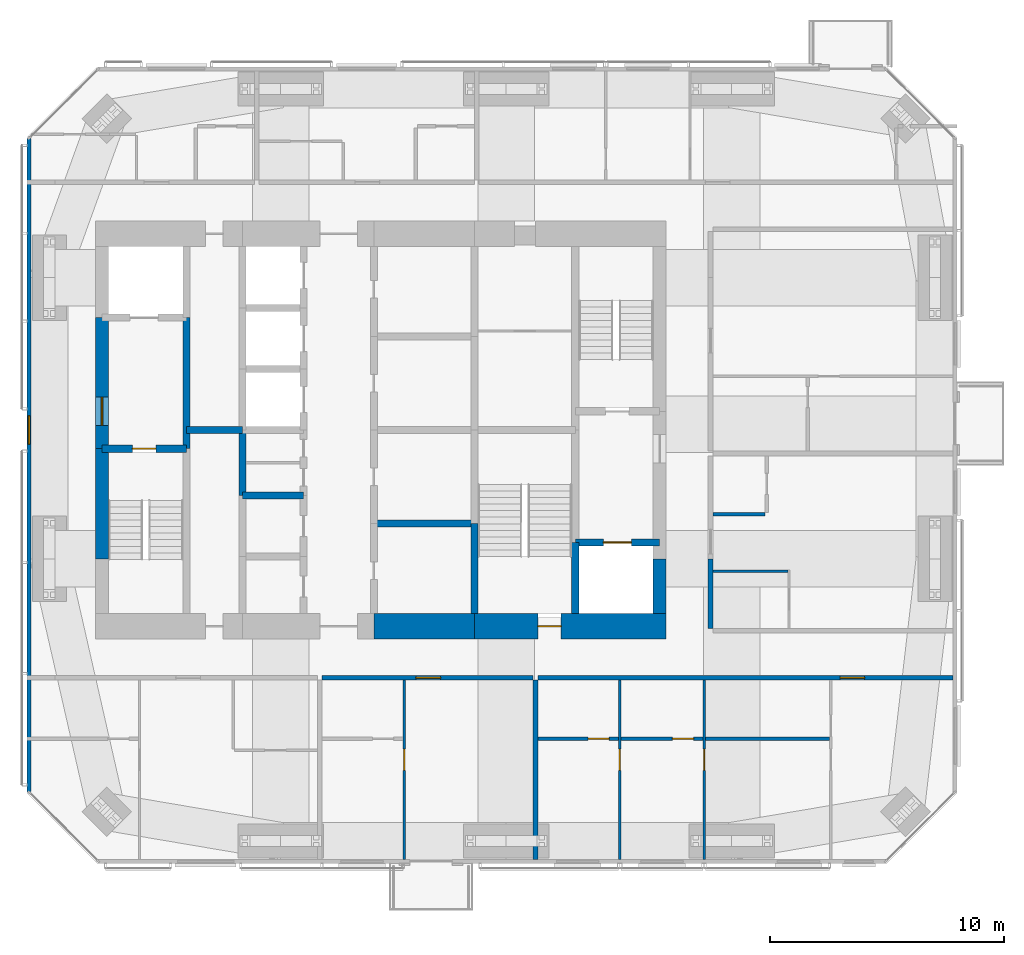
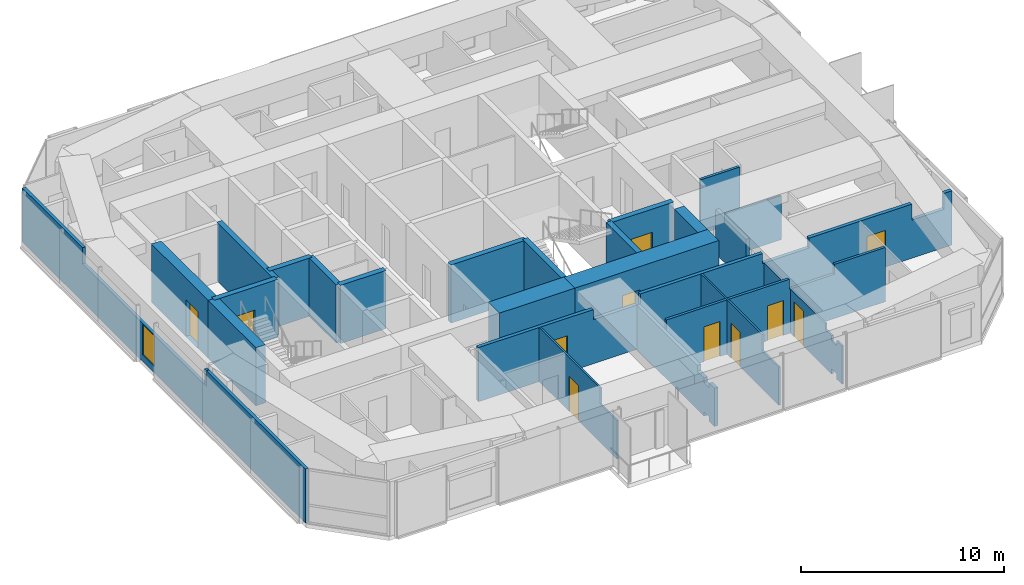
# One storey, part 13 of 18: 27 walls, 11 doors, 1 window, 12 openings.
"""IFC4 building model written with IfcOpenShell, lengths in metres."""

from ifc_helpers import new_model, si_unit, direction, frame, frame_2d, origin, place, context, subcontext, project, spatial, polyline, rectangle, outline, extrude, material, layer, layer_set, constituent, constituent_set, type_object, element, fill, save


model = new_model("IFC4")

# Units and contexts
model_context = context("Model", 3, precision=1e-05, world=origin(), true_north=direction((0.0, 1.0)))
body_context = subcontext(model_context, "Body", "Model", "MODEL_VIEW")
ifc_project = project(units=[si_unit("LENGTHUNIT", "METRE"), si_unit("AREAUNIT", "SQUARE_METRE"), si_unit("VOLUMEUNIT", "CUBIC_METRE"), si_unit("PLANEANGLEUNIT", "RADIAN"), si_unit("MASSUNIT", "GRAM", prefix="KILO")], contexts=[model_context])

# Site, building, storey
site_placement = place(None, origin())
site = spatial("IfcSite", under=ifc_project, at=site_placement, CompositionType="ELEMENT")
building_placement = place(site_placement, origin())
building = spatial("IfcBuilding", under=site, at=building_placement, Name="Jalousie Tower", CompositionType="ELEMENT")
storey_placement = place(building_placement, frame((0.0, 0.0, 228.449951171875)))
storey = spatial("IfcBuildingStorey", under=building, at=storey_placement, Name="L62", CompositionType="ELEMENT", Elevation=228.449951171875)

# Wall, opening, door
ifc_material_1 = material(Name="Concrete block ASTM C90", Category="concrete")
ifc_constituent_1 = constituent(ifc_material_1, Name="Body")
ifc_material_2 = material(Name="Render")
ifc_constituent_2 = constituent(ifc_material_2, Name="Finish")
ifc_constituent_set_1 = constituent_set(constituents=[ifc_constituent_1, ifc_constituent_2])
wall_type_1 = type_object("IfcWallType", Name="BATHROOM WALL 150", PredefinedType="PLUMBINGWALL", material=ifc_constituent_set_1)
wall_1_placement = place(storey_placement, frame((38.60009765625, 5.324951171875, 0.0), z_axis=(0.0, 0.0, 1.0), x_axis=(1.0, 0.0, 0.0)))
wall_1 = element("IfcWall", 1, at=wall_1_placement, inside=storey, type_object=wall_type_1, Name="Bathroom Wall 150 L62", PredefinedType="PLUMBINGWALL", context=body_context, shape_type="SweptSolid", body=[
    extrude(rectangle(XDim=3.449951171875, YDim=0.14990234375, at=frame_2d((1.72509765625, 0.0))), origin(), (0.0, 0.0, 1.0), 3.260009765625),
])
opening_1_placement = place(wall_1_placement, frame((2.14990234375, 0.0, 0.0)))
opening_1 = element("IfcOpeningElement", 2, at=opening_1_placement, cuts=wall_1, Name="Opening D3", PredefinedType="OPENING", context=body_context, shape_type="SweptSolid", body=[
    extrude(rectangle(XDim=0.89990234375, YDim=2.10009765625, at=frame_2d((0.449951171875, 1.050048828125))), frame((0.0, 0.0849609375, 0.0), z_axis=(0.0, -1.0, 0.0), x_axis=(1.0, 0.0, 0.0)), (0.0, 0.0, 1.0), 0.169921875),
])
ifc_material_3 = material(Name="Timber door", Category="wood")
door_type_1 = type_object("IfcDoorType", Name="BATHROOM DOOR 900", OperationType="SINGLE_SWING_LEFT", PredefinedType="DOOR", material=ifc_material_3)
door_1_placement = place(opening_1_placement, origin())
door_1 = element("IfcDoor", 3, at=door_1_placement, inside=storey, type_object=door_type_1, Name="Apartment 6203 bedroom 1 bathroom door", OperationType="SINGLE_SWING_RIGHT", OverallHeight=2.10009765625, OverallWidth=0.89990234375, PredefinedType="DOOR", context=body_context, shape_type="SweptSolid", body=[
    extrude(rectangle(XDim=0.89990234375, YDim=2.10009765625, at=frame_2d((0.449951171875, 1.050048828125))), frame((0.0, 0.02490234375, 0.0), z_axis=(0.0, -1.0, 0.0), x_axis=(1.0, 0.0, 0.0)), (0.0, 0.0, 1.0), 0.050048828125),
])
fill(opening_1, door_1)

wall_2_placement = place(storey_placement, frame((42.14990234375, 5.324951171875, 0.0), z_axis=(0.0, 0.0, 1.0), x_axis=(1.0, 0.0, 0.0)))
wall_2 = element("IfcWall", 4, at=wall_2_placement, inside=storey, type_object=wall_type_1, Name="Bathroom Wall 150 L62", PredefinedType="PLUMBINGWALL", context=body_context, shape_type="SweptSolid", body=[
    extrude(outline(polyline([(0.0, 0.0), (3.5, 0.0), (3.5, 3.260009765625), (3.5, 2.66015625), (3.43994140625, 2.66015625), (3.43994140625, 3.260009765625), (0.0, 3.260009765625), (0.0, 0.0)])), frame((0.0, 0.074951171875, 0.0), z_axis=(0.0, -1.0, 0.0), x_axis=(1.0, 0.0, 0.0)), (0.0, 0.0, 1.0), 0.14990234375),
])
opening_2_placement = place(wall_2_placement, frame((2.199951171875, 0.0, 0.0)))
opening_2 = element("IfcOpeningElement", 5, at=opening_2_placement, cuts=wall_2, Name="Opening D3", PredefinedType="OPENING", context=body_context, shape_type="SweptSolid", body=[
    extrude(rectangle(XDim=0.89990234375, YDim=2.10009765625, at=frame_2d((0.449951171875, 1.050048828125))), frame((0.0, 0.0849609375, 0.0), z_axis=(0.0, -1.0, 0.0), x_axis=(1.0, 0.0, 0.0)), (0.0, 0.0, 1.0), 0.169921875),
])
door_2_placement = place(opening_2_placement, origin())
door_2 = element("IfcDoor", 6, at=door_2_placement, inside=storey, type_object=door_type_1, Name="Apartment 6203 bedroom 2 bathroom door", OperationType="SINGLE_SWING_RIGHT", OverallHeight=2.10009765625, OverallWidth=0.89990234375, PredefinedType="DOOR", context=body_context, shape_type="SweptSolid", body=[
    extrude(rectangle(XDim=0.89990234375, YDim=2.10009765625, at=frame_2d((0.449951171875, 1.050048828125))), frame((0.0, 0.02490234375, 0.0), z_axis=(0.0, -1.0, 0.0), x_axis=(1.0, 0.0, 0.0)), (0.0, 0.0, 1.0), 0.050048828125),
])
fill(opening_2, door_2)

# Walls
wall_3_placement = place(storey_placement, frame((45.75, 5.324951171875, 0.0), z_axis=(0.0, 0.0, 1.0), x_axis=(1.0, 0.0, 0.0)))
element("IfcWall", 7, at=wall_3_placement, inside=storey, type_object=wall_type_1, Name="Bathroom Wall 150 L62", PredefinedType="PLUMBINGWALL", context=body_context, shape_type="SweptSolid", body=[
    extrude(outline(polyline([(0.0, 0.0), (5.300048828125, 0.0), (5.300048828125, 3.260009765625), (2.409912109375, 3.260009765625), (2.409912109375, 2.66015625), (0.0, 2.66015625), (0.0, 3.260009765625), (0.0, 0.0)])), frame((0.0, 0.074951171875, 0.0), z_axis=(0.0, -1.0, 0.0), x_axis=(1.0, 0.0, 0.0)), (0.0, 0.0, 1.0), 0.14990234375),
])
wall_4_placement = place(storey_placement, frame((48.300048828125, 14.89990234375, 0.0), z_axis=(0.0, 0.0, 1.0), x_axis=(-1.0, 0.0, 0.0)))
element("IfcWall", 8, at=wall_4_placement, inside=storey, type_object=wall_type_1, Name="Bathroom Wall 150 L62", PredefinedType="PLUMBINGWALL", context=body_context, shape_type="SweptSolid", body=[
    extrude(rectangle(XDim=2.22509765625, YDim=0.14990234375, at=frame_2d((1.112548828125, 0.0))), origin(), (0.0, 0.0, 1.0), 3.260009765625),
])
ifc_material_4 = material(Name="Concrete f'c 120 MPa", Category="concrete")
ifc_layer_1 = layer(ifc_material_4, 1.10009765625)
ifc_layer_set_1 = layer_set([ifc_layer_1], Name="Concrete f'c 120 MPa")
wall_type_2 = type_object("IfcWallType", Name="CORE WALL 1100", PredefinedType="SHEAR", material=ifc_layer_set_1)
wall_5_placement = place(storey_placement, frame((31.60009765625, 10.125, 0.0), z_axis=(0.0, 0.0, 1.0), x_axis=(1.0, 0.0, 0.0)))
element("IfcWall", 9, at=wall_5_placement, inside=storey, type_object=wall_type_2, Name="Core wall SC L62", PredefinedType="SHEAR", context=body_context, shape_type="SweptSolid", body=[
    extrude(rectangle(XDim=4.2998046875, YDim=1.10009765625, at=frame_2d((2.14990234375, 0.0))), origin(), (0.0, 0.0, 1.0), 3.5),
])

# Wall, opening, door
wall_6_placement = place(storey_placement, frame((35.89990234375, 10.125, 0.0), z_axis=(0.0, 0.0, 1.0), x_axis=(1.0, 0.0, 0.0)))
wall_6 = element("IfcWall", 10, at=wall_6_placement, inside=storey, type_object=wall_type_2, Name="Core wall SD L62", PredefinedType="SHEAR", context=body_context, shape_type="SweptSolid", body=[
    extrude(rectangle(XDim=8.175048828125, YDim=1.10009765625, at=frame_2d((4.08740234375, 0.0))), origin(), (0.0, 0.0, 1.0), 3.5),
])
opening_3_placement = place(wall_6_placement, frame((2.699951171875, 0.0, 0.0)))
opening_3 = element("IfcOpeningElement", 11, at=opening_3_placement, cuts=wall_6, Name="Opening D10", PredefinedType="OPENING", context=body_context, shape_type="SweptSolid", body=[
    extrude(rectangle(XDim=1.0, YDim=2.10009765625, at=frame_2d((0.5, 1.050048828125))), frame((0.0, 0.56005859375, 0.0), z_axis=(0.0, -1.0, 0.0), x_axis=(1.0, 0.0, 0.0)), (0.0, 0.0, 1.0), 1.1201171875),
])
ifc_material_5 = material(Name="Steel fire door", Category="steel")
door_type_2 = type_object("IfcDoorType", Name="STAIR DOOR 1000", OperationType="SINGLE_SWING_LEFT", PredefinedType="DOOR", material=ifc_material_5)
door_3_placement = place(opening_3_placement, origin())
door_3 = element("IfcDoor", 12, at=door_3_placement, inside=storey, type_object=door_type_2, Name="Exit stair C door", OperationType="SINGLE_SWING_RIGHT", OverallHeight=2.10009765625, OverallWidth=1.0, PredefinedType="DOOR", context=body_context, shape_type="SweptSolid", body=[
    extrude(rectangle(XDim=1.0, YDim=2.10009765625, at=frame_2d((0.5, 1.050048828125))), frame((0.0, 0.02490234375, 0.0), z_axis=(0.0, -1.0, 0.0), x_axis=(1.0, 0.0, 0.0)), (0.0, 0.0, 1.0), 0.050048828125),
])
fill(opening_3, door_3)

# Walls
ifc_material_6 = material(Name="Concrete f'c 120 MPa", Category="concrete")
ifc_layer_2 = layer(ifc_material_6, 0.300048828125)
ifc_layer_set_2 = layer_set([ifc_layer_2], Name="Concrete f'c 120 MPa")
wall_type_3 = type_object("IfcWallType", Name="CORE WALL 300", PredefinedType="SHEAR", material=ifc_layer_set_2)
wall_7_placement = place(storey_placement, frame((23.60009765625, 17.699951171875, 0.0), z_axis=(0.0, 0.0, 1.0), x_axis=(0.0, 1.0, 0.0)))
element("IfcWall", 13, at=wall_7_placement, inside=storey, type_object=wall_type_3, Name="Core wall X23.6B L62", PredefinedType="SHEAR", context=body_context, shape_type="SweptSolid", body=[
    extrude(rectangle(XDim=5.60009765625, YDim=0.300048828125, at=frame_2d((2.800048828125, 0.0))), origin(), (0.0, 0.0, 1.0), 3.5),
])
wall_8_placement = place(storey_placement, frame((26.0, 15.699951171875, 0.0), z_axis=(0.0, 0.0, 1.0), x_axis=(0.0, 1.0, 0.0)))
element("IfcWall", 14, at=wall_8_placement, inside=storey, type_object=wall_type_3, Name="Core wall X26C L62", PredefinedType="SHEAR", context=body_context, shape_type="SweptSolid", body=[
    extrude(rectangle(XDim=2.800048828125, YDim=0.300048828125, at=frame_2d((1.39990234375, 0.0))), origin(), (0.0, 0.0, 1.0), 3.5),
])
wall_9_placement = place(storey_placement, frame((35.89990234375, 10.675048828125, 0.0), z_axis=(0.0, 0.0, 1.0), x_axis=(0.0, 1.0, 0.0)))
element("IfcWall", 15, at=wall_9_placement, inside=storey, type_object=wall_type_3, Name="Core wall X35.9A L62", PredefinedType="SHEAR", context=body_context, shape_type="SweptSolid", body=[
    extrude(rectangle(XDim=3.824951171875, YDim=0.300048828125, at=frame_2d((1.91259765625, 0.0))), origin(), (0.0, 0.0, 1.0), 3.5),
])
wall_10_placement = place(storey_placement, frame((40.199951171875, 10.675048828125, 0.0), z_axis=(0.0, 0.0, 1.0), x_axis=(0.0, 1.0, 0.0)))
element("IfcWall", 16, at=wall_10_placement, inside=storey, type_object=wall_type_3, Name="Core wall X40.2A L62", PredefinedType="SHEAR", context=body_context, shape_type="SweptSolid", body=[
    extrude(rectangle(XDim=3.02490234375, YDim=0.300048828125, at=frame_2d((1.512451171875, 0.0))), origin(), (0.0, 0.0, 1.0), 3.5),
])

# Wall, opening, door
wall_11_placement = place(storey_placement, frame((20.0, 17.699951171875, 0.0), z_axis=(0.0, 0.0, 1.0), x_axis=(1.0, 0.0, 0.0)))
wall_11 = element("IfcWall", 17, at=wall_11_placement, inside=storey, type_object=wall_type_3, Name="Core wall Y20-17.7 L62", PredefinedType="SHEAR", context=body_context, shape_type="SweptSolid", body=[
    extrude(rectangle(XDim=3.60009765625, YDim=0.300048828125, at=frame_2d((1.800048828125, 0.0))), origin(), (0.0, 0.0, 1.0), 3.5),
])
opening_4_placement = place(wall_11_placement, frame((1.300048828125, 0.0, 0.0)))
opening_4 = element("IfcOpeningElement", 18, at=opening_4_placement, cuts=wall_11, Name="Opening D10", PredefinedType="OPENING", context=body_context, shape_type="SweptSolid", body=[
    extrude(rectangle(XDim=1.0, YDim=2.10009765625, at=frame_2d((0.5, 1.050048828125))), frame((0.0, 0.159912109375, 0.0), z_axis=(0.0, -1.0, 0.0), x_axis=(1.0, 0.0, 0.0)), (0.0, 0.0, 1.0), 0.320068359375),
])
door_4_placement = place(opening_4_placement, frame((1.0, 0.0, 0.0), z_axis=(0.0, 0.0, 1.0), x_axis=(-1.0, 0.0, 0.0)))
door_4 = element("IfcDoor", 19, at=door_4_placement, inside=storey, type_object=door_type_2, Name="Exit stair A door", OperationType="SINGLE_SWING_RIGHT", OverallHeight=2.10009765625, OverallWidth=1.0, PredefinedType="DOOR", context=body_context, shape_type="SweptSolid", body=[
    extrude(rectangle(XDim=1.0, YDim=2.10009765625, at=frame_2d((0.5, 1.050048828125))), frame((0.0, 0.02490234375, 0.0), z_axis=(0.0, -1.0, 0.0), x_axis=(1.0, 0.0, 0.0)), (0.0, 0.0, 1.0), 0.050048828125),
])
fill(opening_4, door_4)

# Walls
wall_12_placement = place(storey_placement, frame((23.60009765625, 18.5, 0.0), z_axis=(0.0, 0.0, 1.0), x_axis=(1.0, 0.0, 0.0)))
element("IfcWall", 20, at=wall_12_placement, inside=storey, type_object=wall_type_3, Name="Core wall Y23.6-18.5 L62", PredefinedType="SHEAR", context=body_context, shape_type="SweptSolid", body=[
    extrude(rectangle(XDim=2.39990234375, YDim=0.300048828125, at=frame_2d((1.199951171875, 0.0))), origin(), (0.0, 0.0, 1.0), 3.5),
])
wall_13_placement = place(storey_placement, frame((26.0, 15.699951171875, 0.0), z_axis=(0.0, 0.0, 1.0), x_axis=(1.0, 0.0, 0.0)))
element("IfcWall", 21, at=wall_13_placement, inside=storey, type_object=wall_type_3, Name="Core wall Y26-15.7 L62", PredefinedType="SHEAR", context=body_context, shape_type="SweptSolid", body=[
    extrude(rectangle(XDim=2.60009765625, YDim=0.300048828125, at=frame_2d((1.300048828125, 0.0))), origin(), (0.0, 0.0, 1.0), 3.5),
])
wall_14_placement = place(storey_placement, frame((31.60009765625, 14.5, 0.0), z_axis=(0.0, 0.0, 1.0), x_axis=(1.0, 0.0, 0.0)))
element("IfcWall", 22, at=wall_14_placement, inside=storey, type_object=wall_type_3, Name="Core wall Y31.6-14.5 L62", PredefinedType="SHEAR", context=body_context, shape_type="SweptSolid", body=[
    extrude(rectangle(XDim=4.2998046875, YDim=0.300048828125, at=frame_2d((2.14990234375, 0.0))), origin(), (0.0, 0.0, 1.0), 3.5),
])

# Wall, opening, door
wall_15_placement = place(storey_placement, frame((40.199951171875, 13.699951171875, 0.0), z_axis=(0.0, 0.0, 1.0), x_axis=(1.0, 0.0, 0.0)))
wall_15 = element("IfcWall", 23, at=wall_15_placement, inside=storey, type_object=wall_type_3, Name="Core wall Y40.2-13.7 L62", PredefinedType="SHEAR", context=body_context, shape_type="SweptSolid", body=[
    extrude(rectangle(XDim=3.60009765625, YDim=0.300048828125, at=frame_2d((1.800048828125, 0.0))), origin(), (0.0, 0.0, 1.0), 3.5),
])
opening_5_placement = place(wall_15_placement, frame((1.199951171875, 0.0, 0.0)))
opening_5 = element("IfcOpeningElement", 24, at=opening_5_placement, cuts=wall_15, Name="Opening LD2", PredefinedType="OPENING", context=body_context, shape_type="SweptSolid", body=[
    extrude(rectangle(XDim=1.199951171875, YDim=2.10009765625, at=frame_2d((0.60009765625, 1.050048828125))), frame((0.0, 0.159912109375, 0.0), z_axis=(0.0, -1.0, 0.0), x_axis=(1.0, 0.0, 0.0)), (0.0, 0.0, 1.0), 0.320068359375),
])
ifc_material_7 = material(Name="Steel lift landing door", Category="steel")
door_type_3 = type_object("IfcDoorType", Name="LIFT LANDING DOOR 1200", OperationType="SLIDING_TO_LEFT", PredefinedType="DOOR", material=ifc_material_7)
door_5_placement = place(opening_5_placement, origin())
door_5 = element("IfcDoor", 25, at=door_5_placement, inside=storey, type_object=door_type_3, Name="Lift F2 landing door", OperationType="SLIDING_TO_LEFT", OverallHeight=2.10009765625, OverallWidth=1.199951171875, PredefinedType="DOOR", context=body_context, shape_type="SweptSolid", body=[
    extrude(rectangle(XDim=1.199951171875, YDim=2.10009765625, at=frame_2d((0.60009765625, 1.050048828125))), frame((0.0, 0.02490234375, 0.0), z_axis=(0.0, -1.0, 0.0), x_axis=(1.0, 0.0, 0.0)), (0.0, 0.0, 1.0), 0.050048828125),
])
fill(opening_5, door_5)

ifc_material_8 = material(Name="Concrete f'c 120 MPa", Category="concrete")
ifc_layer_3 = layer(ifc_material_8, 0.550048828125)
ifc_layer_set_3 = layer_set([ifc_layer_3], Name="Concrete f'c 120 MPa")
wall_type_4 = type_object("IfcWallType", Name="CORE WALL 550", PredefinedType="SHEAR", material=ifc_layer_set_3)
wall_16_placement = place(storey_placement, frame((20.0, 23.300048828125, 0.0), z_axis=(0.0, 0.0, 1.0), x_axis=(0.0, -1.0, 0.0)))
wall_16 = element("IfcWall", 26, at=wall_16_placement, inside=storey, type_object=wall_type_4, Name="Core wall WB L62", PredefinedType="SHEAR", context=body_context, shape_type="SweptSolid", body=[
    extrude(rectangle(XDim=5.60009765625, YDim=0.550048828125, at=frame_2d((2.800048828125, 0.0))), origin(), (0.0, 0.0, 1.0), 3.5),
])
opening_6_placement = place(wall_16_placement, frame((3.39990234375, 0.0, 0.0)))
opening_6 = element("IfcOpeningElement", 27, at=opening_6_placement, cuts=wall_16, Name="Opening D11", PredefinedType="OPENING", context=body_context, shape_type="SweptSolid", body=[
    extrude(rectangle(XDim=1.199951171875, YDim=2.199951171875, at=frame_2d((0.60009765625, 1.10009765625))), frame((0.0, 0.284912109375, 0.0), z_axis=(0.0, -1.0, 0.0), x_axis=(1.0, 0.0, 0.0)), (0.0, 0.0, 1.0), 0.570068359375),
])
ifc_material_9 = material(Name="Steel fire door", Category="steel")
door_type_4 = type_object("IfcDoorType", Name="FIRE DOOR 1200", OperationType="SINGLE_SWING_LEFT", PredefinedType="DOOR", material=ifc_material_9)
door_6_placement = place(opening_6_placement, origin())
door_6 = element("IfcDoor", 28, at=door_6_placement, inside=storey, type_object=door_type_4, Name="Fire-fighting lobby A door", OperationType="SINGLE_SWING_RIGHT", OverallHeight=2.199951171875, OverallWidth=1.199951171875, PredefinedType="DOOR", context=body_context, shape_type="SweptSolid", body=[
    extrude(rectangle(XDim=1.199951171875, YDim=2.199951171875, at=frame_2d((0.60009765625, 1.10009765625))), frame((0.0, 0.02490234375, 0.0), z_axis=(0.0, -1.0, 0.0), x_axis=(1.0, 0.0, 0.0)), (0.0, 0.0, 1.0), 0.050048828125),
])
fill(opening_6, door_6)

# Walls
wall_17_placement = place(storey_placement, frame((20.0, 17.699951171875, 0.0), z_axis=(0.0, 0.0, 1.0), x_axis=(0.0, -1.0, 0.0)))
element("IfcWall", 29, at=wall_17_placement, inside=storey, type_object=wall_type_4, Name="Core wall WC L62", PredefinedType="SHEAR", context=body_context, shape_type="SweptSolid", body=[
    extrude(rectangle(XDim=4.699951171875, YDim=0.550048828125, at=frame_2d((2.35009765625, 0.0))), origin(), (0.0, 0.0, 1.0), 3.5),
])
wall_18_placement = place(storey_placement, frame((43.800048828125, 10.675048828125, 0.0), z_axis=(0.0, 0.0, 1.0), x_axis=(0.0, 1.0, 0.0)))
element("IfcWall", 30, at=wall_18_placement, inside=storey, type_object=wall_type_4, Name="Core wall EA L62", PredefinedType="SHEAR", context=body_context, shape_type="SweptSolid", body=[
    extrude(rectangle(XDim=2.324951171875, YDim=0.550048828125, at=frame_2d((1.16259765625, 0.0))), origin(), (0.0, 0.0, 1.0), 3.5),
])

# Wall, opening, door
ifc_material_10 = material(Name="Concrete block ASTM C90", Category="concrete")
ifc_constituent_3 = constituent(ifc_material_10, Name="Body")
ifc_material_11 = material(Name="Render")
ifc_constituent_4 = constituent(ifc_material_11, Name="Finish")
ifc_constituent_set_2 = constituent_set(constituents=[ifc_constituent_3, ifc_constituent_4])
wall_type_5 = type_object("IfcWallType", Name="CORRIDOR WALL 200", PredefinedType="PARTITIONING", material=ifc_constituent_set_2)
wall_19_placement = place(storey_placement, frame((29.39990234375, 7.925048828125, 0.0), z_axis=(0.0, 0.0, 1.0), x_axis=(1.0, 0.0, 0.0)))
wall_19 = element("IfcWall", 31, at=wall_19_placement, inside=storey, type_object=wall_type_5, Name="Corridor Wall 200 L62", PredefinedType="PARTITIONING", context=body_context, shape_type="SweptSolid", body=[
    extrude(outline(polyline([(0.0, 0.0), (9.0, 0.0), (9.0, 3.260009765625), (9.0, 2.66015625), (6.5400390625, 2.66015625), (6.5400390625, 3.260009765625), (0.0, 3.260009765625), (0.0, 0.0)])), frame((0.0, 0.10009765625, 0.0), z_axis=(0.0, -1.0, 0.0), x_axis=(1.0, 0.0, 0.0)), (0.0, 0.0, 1.0), 0.199951171875),
])
opening_7_placement = place(wall_19_placement, frame((4.0, 0.0, 0.0)))
opening_7 = element("IfcOpeningElement", 32, at=opening_7_placement, cuts=wall_19, Name="Opening D1", PredefinedType="OPENING", context=body_context, shape_type="SweptSolid", body=[
    extrude(rectangle(XDim=1.050048828125, YDim=2.199951171875, at=frame_2d((0.52490234375, 1.10009765625))), frame((0.0, 0.10986328125, 0.0), z_axis=(0.0, -1.0, 0.0), x_axis=(1.0, 0.0, 0.0)), (0.0, 0.0, 1.0), 0.219970703125),
])
ifc_material_12 = material(Name="Timber fire door", Category="wood")
door_type_5 = type_object("IfcDoorType", Name="APARTMENT ENTRANCE DOOR 1050", OperationType="SINGLE_SWING_LEFT", PredefinedType="DOOR", material=ifc_material_12)
door_7_placement = place(opening_7_placement, frame((1.050048828125, 0.0, 0.0), z_axis=(0.0, 0.0, 1.0), x_axis=(-1.0, 0.0, 0.0)))
door_7 = element("IfcDoor", 33, at=door_7_placement, inside=storey, type_object=door_type_5, Name="Apartment 6202 entrance", OperationType="SINGLE_SWING_RIGHT", OverallHeight=2.199951171875, OverallWidth=1.050048828125, PredefinedType="DOOR", context=body_context, shape_type="SweptSolid", body=[
    extrude(rectangle(XDim=1.050048828125, YDim=2.199951171875, at=frame_2d((0.52490234375, 1.10009765625))), frame((0.0, 0.02490234375, 0.0), z_axis=(0.0, -1.0, 0.0), x_axis=(1.0, 0.0, 0.0)), (0.0, 0.0, 1.0), 0.050048828125),
])
fill(opening_7, door_7)

wall_20_placement = place(storey_placement, frame((38.60009765625, 7.925048828125, 0.0), z_axis=(0.0, 0.0, 1.0), x_axis=(1.0, 0.0, 0.0)))
wall_20 = element("IfcWall", 34, at=wall_20_placement, inside=storey, type_object=wall_type_5, Name="Corridor Wall 200 L62", PredefinedType="PARTITIONING", context=body_context, shape_type="SweptSolid", body=[
    extrude(outline(polyline([(0.0, 0.0), (17.724853515625, 0.0), (17.72509765625, 3.260009765625), (17.27490234375, 3.260009765625), (17.27490234375, 2.300048828125), (15.442626953125, 2.300048828125), (15.442626953125, 3.260009765625), (9.5849609375, 3.260009765625), (9.5849609375, 2.66015625), (6.965087890625, 2.66015625), (6.965087890625, 3.260009765625), (0.0, 3.260009765625), (0.0, 0.0)])), frame((0.0, 0.10009765625, 0.0), z_axis=(0.0, -1.0, 0.0), x_axis=(1.0, 0.0, 0.0)), (0.0, 0.0, 1.0), 0.199951171875),
])
opening_8_placement = place(wall_20_placement, frame((12.89990234375, 0.0, 0.0)))
opening_8 = element("IfcOpeningElement", 35, at=opening_8_placement, cuts=wall_20, Name="Opening D1", PredefinedType="OPENING", context=body_context, shape_type="SweptSolid", body=[
    extrude(rectangle(XDim=1.050048828125, YDim=2.199951171875, at=frame_2d((0.52490234375, 1.10009765625))), frame((0.0, 0.10986328125, 0.0), z_axis=(0.0, -1.0, 0.0), x_axis=(1.0, 0.0, 0.0)), (0.0, 0.0, 1.0), 0.219970703125),
])
door_8_placement = place(opening_8_placement, frame((1.050048828125, 0.0, 0.0), z_axis=(0.0, 0.0, 1.0), x_axis=(-1.0, 0.0, 0.0)))
door_8 = element("IfcDoor", 36, at=door_8_placement, inside=storey, type_object=door_type_5, Name="Apartment 6203 entrance", OperationType="SINGLE_SWING_RIGHT", OverallHeight=2.199951171875, OverallWidth=1.050048828125, PredefinedType="DOOR", context=body_context, shape_type="SweptSolid", body=[
    extrude(rectangle(XDim=1.050048828125, YDim=2.199951171875, at=frame_2d((0.52490234375, 1.10009765625))), frame((0.0, 0.02490234375, 0.0), z_axis=(0.0, -1.0, 0.0), x_axis=(1.0, 0.0, 0.0)), (0.0, 0.0, 1.0), 0.050048828125),
])
fill(opening_8, door_8)

# Wall
wall_21_placement = place(storey_placement, frame((45.97509765625, 10.02490234375, 0.0), z_axis=(0.0, 0.0, 1.0), x_axis=(0.0, 1.0, 0.0)))
element("IfcWall", 37, at=wall_21_placement, inside=storey, type_object=wall_type_5, Name="Corridor Wall 200 L62-A", PredefinedType="PARTITIONING", context=body_context, shape_type="SweptSolid", body=[
    extrude(rectangle(XDim=2.97509765625, YDim=0.199951171875, at=frame_2d((1.487548828125, 0.0))), origin(), (0.0, 0.0, 1.0), 2.66015625),
])

# Wall, opening, window
ifc_material_13 = material(Name="Concrete f'c 40 MPa", Category="concrete")
ifc_constituent_5 = constituent(ifc_material_13, Name="Body")
ifc_material_14 = material(Name="Render, pastel sky blue")
ifc_constituent_6 = constituent(ifc_material_14, Name="Finish")
ifc_constituent_set_3 = constituent_set(constituents=[ifc_constituent_5, ifc_constituent_6])
wall_type_6 = type_object("IfcWallType", Name="EXTERNAL WALL 175 SKY BLUE RENDER", PredefinedType="SOLIDWALL", material=ifc_constituent_set_3)
wall_22_placement = place(storey_placement, frame((16.887451171875, 30.94873046875, 0.0), z_axis=(0.0, 0.0, 1.0), x_axis=(0.0, -1.0, 0.0)))
wall_22 = element("IfcWall", 38, at=wall_22_placement, inside=storey, type_object=wall_type_6, Name="External Wall 175 Sky Blue Render L62", PredefinedType="SOLIDWALL", context=body_context, shape_type="SweptSolid", body=[
    extrude(outline(polyline([(0.0, 0.0), (27.8974609375, 0.0), (27.8974609375, 3.260009765625), (18.1484375, 3.260009765625), (18.1484375, 2.300048828125), (18.125, 2.300048828125), (18.125, 3.260009765625), (17.94873046875, 3.260009765625), (17.94873046875, 2.300048828125), (5.94873046875, 2.300048828125), (5.94873046875, 3.260009765625), (0.0, 3.260009765625), (0.0, 0.0)])), frame((0.0, 0.08740234375, 0.0), z_axis=(0.0, -1.0, 0.0), x_axis=(1.0, 0.0, 0.0)), (0.0, 0.0, 1.0), 0.175048828125),
])
opening_9_placement = place(wall_22_placement, frame((11.8486328125, 0.0, 0.39990234375)))
opening_9 = element("IfcOpeningElement", 39, at=opening_9_placement, cuts=wall_22, Name="Opening W-COR185", PredefinedType="OPENING", context=body_context, shape_type="SweptSolid", body=[
    extrude(rectangle(XDim=1.199951171875, YDim=1.85009765625, at=frame_2d((0.60009765625, 0.925048828125))), frame((0.0, 0.097412109375, 0.0), z_axis=(0.0, -1.0, 0.0), x_axis=(1.0, 0.0, 0.0)), (0.0, 0.0, 1.0), 0.195068359375),
])
ifc_material_15 = material(Name="Aluminium frame, impact-rated glazing", Category="aluminium")
window_type = type_object("IfcWindowType", Name="WINDOW COR 1200x1850", PartitioningType="SINGLE_PANEL", PredefinedType="WINDOW", material=ifc_material_15)
window_placement = place(opening_9_placement, origin())
window = element("IfcWindow", 40, at=window_placement, inside=storey, type_object=window_type, Name="Corridor window", OverallHeight=1.85009765625, OverallWidth=1.199951171875, PartitioningType="SINGLE_PANEL", PredefinedType="WINDOW", context=body_context, shape_type="SweptSolid", body=[
    extrude(rectangle(XDim=1.199951171875, YDim=1.85009765625, at=frame_2d((0.60009765625, 0.925048828125))), frame((0.0, 0.030029296875, 0.0), z_axis=(0.0, -1.0, 0.0), x_axis=(1.0, 0.0, 0.0)), (0.0, 0.0, 1.0), 0.06005859375),
])
fill(opening_9, window)

# Wall, opening, door
ifc_material_16 = material(Name="Gypsum board", Category="gypsum")
ifc_constituent_7 = constituent(ifc_material_16, Name="Body")
ifc_material_17 = material(Name="Light-gauge steel studs ASTM A653 SS Grade 33", Category="steel")
ifc_constituent_8 = constituent(ifc_material_17, Name="Framing")
ifc_constituent_set_4 = constituent_set(constituents=[ifc_constituent_7, ifc_constituent_8])
wall_type_7 = type_object("IfcWallType", Name="PARTITION 100", PredefinedType="PARTITIONING", material=ifc_constituent_set_4)
wall_23_placement = place(storey_placement, frame((32.89990234375, 0.175048828125, 0.0), z_axis=(0.0, 0.0, 1.0), x_axis=(0.0, 1.0, 0.0)))
wall_23 = element("IfcWall", 41, at=wall_23_placement, inside=storey, type_object=wall_type_7, Name="Partition 100 L62", PredefinedType="PARTITIONING", context=body_context, shape_type="SweptSolid", body=[
    extrude(outline(polyline([(0.0, 0.0), (7.64990234375, 0.0), (7.64990234375, 3.260009765625), (1.635009765625, 3.260009765625), (1.635009765625, 2.300048828125), (0.0, 2.300048828125), (0.0, 3.260009765625), (0.0, 0.0)])), frame((0.0, 0.050048828125, 0.0), z_axis=(0.0, -1.0, 0.0), x_axis=(1.0, 0.0, 0.0)), (0.0, 0.0, 1.0), 0.10009765625),
])
opening_10_placement = place(wall_23_placement, frame((3.800048828125, 0.0, 0.0)))
opening_10 = element("IfcOpeningElement", 42, at=opening_10_placement, cuts=wall_23, Name="Opening D2", PredefinedType="OPENING", context=body_context, shape_type="SweptSolid", body=[
    extrude(rectangle(XDim=0.89990234375, YDim=2.10009765625, at=frame_2d((0.449951171875, 1.050048828125))), frame((0.0, 0.06005859375, 0.0), z_axis=(0.0, -1.0, 0.0), x_axis=(1.0, 0.0, 0.0)), (0.0, 0.0, 1.0), 0.1201171875),
])
ifc_material_18 = material(Name="Timber door", Category="wood")
door_type_6 = type_object("IfcDoorType", Name="BEDROOM DOOR 900", OperationType="SINGLE_SWING_LEFT", PredefinedType="DOOR", material=ifc_material_18)
door_9_placement = place(opening_10_placement, origin())
door_9 = element("IfcDoor", 43, at=door_9_placement, inside=storey, type_object=door_type_6, Name="Apartment 6202 bedroom 1 door", OperationType="SINGLE_SWING_RIGHT", OverallHeight=2.10009765625, OverallWidth=0.89990234375, PredefinedType="DOOR", context=body_context, shape_type="SweptSolid", body=[
    extrude(rectangle(XDim=0.89990234375, YDim=2.10009765625, at=frame_2d((0.449951171875, 1.050048828125))), frame((0.0, 0.02490234375, 0.0), z_axis=(0.0, -1.0, 0.0), x_axis=(1.0, 0.0, 0.0)), (0.0, 0.0, 1.0), 0.050048828125),
])
fill(opening_10, door_9)

wall_24_placement = place(storey_placement, frame((42.10009765625, 0.175048828125, 0.0), z_axis=(0.0, 0.0, 1.0), x_axis=(0.0, 1.0, 0.0)))
wall_24 = element("IfcWall", 44, at=wall_24_placement, inside=storey, type_object=wall_type_7, Name="Partition 100 L62", PredefinedType="PARTITIONING", context=body_context, shape_type="SweptSolid", body=[
    extrude(outline(polyline([(0.0, 0.0), (7.64990234375, 0.0), (7.64990234375, 3.260009765625), (1.635009765625, 3.260009765625), (1.635009765625, 2.300048828125), (0.0, 2.300048828125), (0.0, 3.260009765625), (0.0, 0.0)])), frame((0.0, 0.050048828125, 0.0), z_axis=(0.0, -1.0, 0.0), x_axis=(1.0, 0.0, 0.0)), (0.0, 0.0, 1.0), 0.10009765625),
])
opening_11_placement = place(wall_24_placement, frame((3.800048828125, 0.0, 0.0)))
opening_11 = element("IfcOpeningElement", 45, at=opening_11_placement, cuts=wall_24, Name="Opening D2", PredefinedType="OPENING", context=body_context, shape_type="SweptSolid", body=[
    extrude(rectangle(XDim=0.89990234375, YDim=2.10009765625, at=frame_2d((0.449951171875, 1.050048828125))), frame((0.0, 0.06005859375, 0.0), z_axis=(0.0, -1.0, 0.0), x_axis=(1.0, 0.0, 0.0)), (0.0, 0.0, 1.0), 0.1201171875),
])
door_10_placement = place(opening_11_placement, origin())
door_10 = element("IfcDoor", 46, at=door_10_placement, inside=storey, type_object=door_type_6, Name="Apartment 6203 bedroom 1 door", OperationType="SINGLE_SWING_RIGHT", OverallHeight=2.10009765625, OverallWidth=0.89990234375, PredefinedType="DOOR", context=body_context, shape_type="SweptSolid", body=[
    extrude(rectangle(XDim=0.89990234375, YDim=2.10009765625, at=frame_2d((0.449951171875, 1.050048828125))), frame((0.0, 0.02490234375, 0.0), z_axis=(0.0, -1.0, 0.0), x_axis=(1.0, 0.0, 0.0)), (0.0, 0.0, 1.0), 0.050048828125),
])
fill(opening_11, door_10)

wall_25_placement = place(storey_placement, frame((45.699951171875, 0.175048828125, 0.0), z_axis=(0.0, 0.0, 1.0), x_axis=(0.0, 1.0, 0.0)))
wall_25 = element("IfcWall", 47, at=wall_25_placement, inside=storey, type_object=wall_type_7, Name="Partition 100 L62", PredefinedType="PARTITIONING", context=body_context, shape_type="SweptSolid", body=[
    extrude(outline(polyline([(0.52880859375, 2.300048828125), (0.0, 2.300048828125), (0.0, 0.0), (0.52880859375, 0.0), (0.52880859375, 0.309814453125), (1.021240234375, 0.309814453125), (1.021240234375, 0.0), (7.64990234375, 0.0), (7.64990234375, 2.66015625), (1.635009765625, 2.66015625), (1.635009765625, 2.300048828125), (1.021240234375, 2.300048828125), (1.021240234375, 1.990234375), (0.52880859375, 1.990234375), (0.52880859375, 2.300048828125)])), frame((0.0, 0.050048828125, 0.0), z_axis=(0.0, -1.0, 0.0), x_axis=(1.0, 0.0, 0.0)), (0.0, 0.0, 1.0), 0.10009765625),
])
opening_12_placement = place(wall_25_placement, frame((3.800048828125, 0.0, 0.0)))
opening_12 = element("IfcOpeningElement", 48, at=opening_12_placement, cuts=wall_25, Name="Opening D2", PredefinedType="OPENING", context=body_context, shape_type="SweptSolid", body=[
    extrude(rectangle(XDim=0.89990234375, YDim=2.10009765625, at=frame_2d((0.449951171875, 1.050048828125))), frame((0.0, 0.06005859375, 0.0), z_axis=(0.0, -1.0, 0.0), x_axis=(1.0, 0.0, 0.0)), (0.0, 0.0, 1.0), 0.1201171875),
])
door_11_placement = place(opening_12_placement, frame((0.89990234375, 0.0, 0.0), z_axis=(0.0, 0.0, 1.0), x_axis=(-1.0, 0.0, 0.0)))
door_11 = element("IfcDoor", 49, at=door_11_placement, inside=storey, type_object=door_type_6, Name="Apartment 6203 bedroom 2 door", OperationType="SINGLE_SWING_LEFT", OverallHeight=2.10009765625, OverallWidth=0.89990234375, PredefinedType="DOOR", context=body_context, shape_type="SweptSolid", body=[
    extrude(rectangle(XDim=0.89990234375, YDim=2.10009765625, at=frame_2d((0.449951171875, 1.050048828125))), frame((0.0, 0.02490234375, 0.0), z_axis=(0.0, -1.0, 0.0), x_axis=(1.0, 0.0, 0.0)), (0.0, 0.0, 1.0), 0.050048828125),
])
fill(opening_12, door_11)

# Walls
wall_26_placement = place(storey_placement, frame((46.074951171875, 12.47509765625, 0.0), z_axis=(0.0, 0.0, 1.0), x_axis=(1.0, 0.0, 0.0)))
element("IfcWall", 50, at=wall_26_placement, inside=storey, type_object=wall_type_7, Name="Partition 100 L62", PredefinedType="PARTITIONING", context=body_context, shape_type="SweptSolid", body=[
    extrude(outline(polyline([(0.0, 0.0), (3.199951171875, 0.0), (3.199951171875, 3.260009765625), (3.199951171875, 2.66015625), (2.06005859375, 2.66015625), (0.0, 2.66015625), (0.0, 3.260009765625), (0.0, 0.0)])), frame((0.0, 0.050048828125, 0.0), z_axis=(0.0, -1.0, 0.0), x_axis=(1.0, 0.0, 0.0)), (0.0, 0.0, 1.0), 0.10009765625),
])
ifc_material_19 = material(Name="Concrete block ASTM C90", Category="concrete")
ifc_constituent_9 = constituent(ifc_material_19, Name="Body")
ifc_material_20 = material(Name="Render")
ifc_constituent_10 = constituent(ifc_material_20, Name="Finish")
ifc_constituent_set_5 = constituent_set(constituents=[ifc_constituent_9, ifc_constituent_10])
wall_type_8 = type_object("IfcWallType", Name="PARTY WALL 200", PredefinedType="PARTITIONING", material=ifc_constituent_set_5)
wall_27_placement = place(storey_placement, frame((38.5, 0.175048828125, 0.0), z_axis=(0.0, 0.0, 1.0), x_axis=(0.0, 1.0, 0.0)))
element("IfcWall", 51, at=wall_27_placement, inside=storey, type_object=wall_type_8, Name="Party Wall 200 L62", PredefinedType="PARTITIONING", context=body_context, shape_type="SweptSolid", body=[
    extrude(outline(polyline([(0.52880859375, 2.300048828125), (0.0, 2.300048828125), (0.0, 0.0), (0.52880859375, 0.0), (0.52880859375, 0.28125), (1.021240234375, 0.28125), (1.021240234375, 0.0), (7.64990234375, 0.0), (7.64990234375, 2.66015625), (1.68505859375, 2.66015625), (1.68505859375, 2.300048828125), (1.021240234375, 2.300048828125), (1.021240234375, 2.01904296875), (0.52880859375, 2.01904296875), (0.52880859375, 2.300048828125)])), frame((0.0, 0.10009765625, 0.0), z_axis=(0.0, -1.0, 0.0), x_axis=(1.0, 0.0, 0.0)), (0.0, 0.0, 1.0), 0.199951171875),
])

save(model, "model.ifc")
